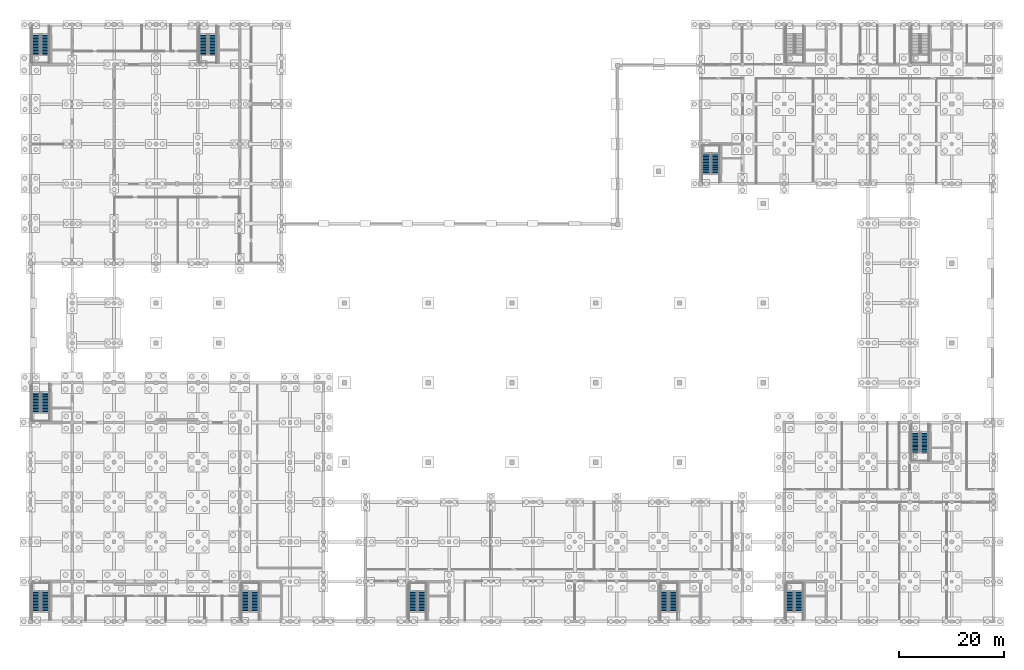
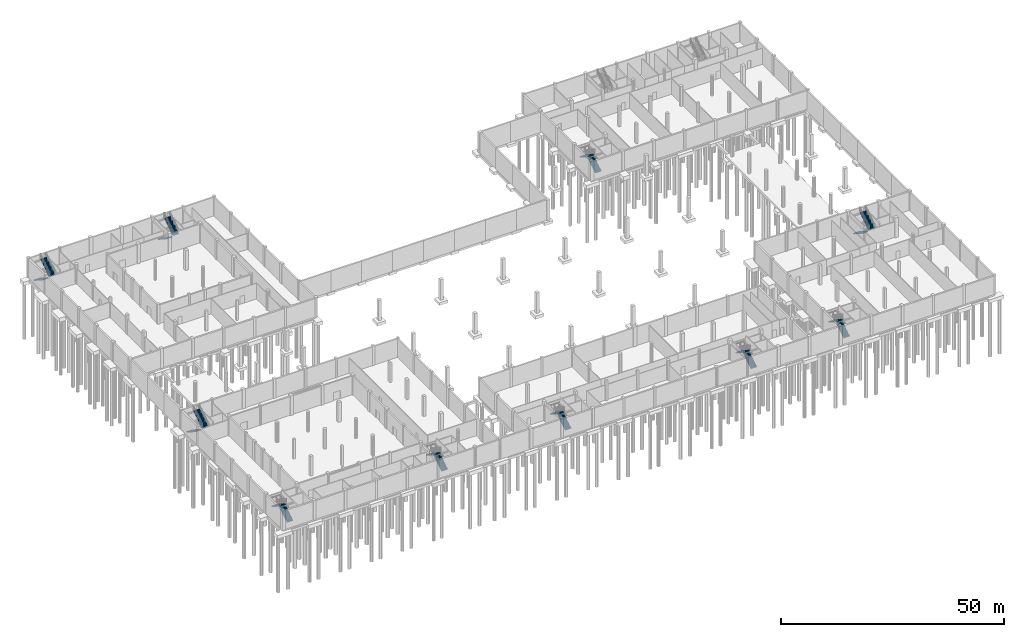
# One storey, part 33 of 44: 20 stair flights, 10 elements without a shape of their own.
"""IFC4 building model written with IfcOpenShell, lengths in metres."""

from ifc_helpers import new_model, si_unit, direction, frame, origin, place, context, subcontext, project, spatial, polyline, outline, extrude, material, type_object, element, aggregate, save


model = new_model("IFC4")

# Units and contexts
model_context = context("Model", 3, precision=1e-05, world=origin(), true_north=direction((0.0, 1.0)))
body_context = subcontext(model_context, "Body", "Model", "MODEL_VIEW")
ifc_project = project(units=[si_unit("LENGTHUNIT", "METRE"), si_unit("AREAUNIT", "SQUARE_METRE"), si_unit("VOLUMEUNIT", "CUBIC_METRE"), si_unit("PLANEANGLEUNIT", "RADIAN"), si_unit("MASSUNIT", "GRAM", prefix="KILO")], contexts=[model_context])

# Site, building, storey
site_placement = place(None, origin())
site = spatial("IfcSite", under=ifc_project, at=site_placement, CompositionType="ELEMENT")
building_placement = place(site_placement, origin())
building = spatial("IfcBuilding", under=site, at=building_placement, Name="Khelvaren Railside Concert Hall", CompositionType="ELEMENT")
storey_placement = place(building_placement, frame((0.0, 0.0, -5.39990234375)))
storey = spatial("IfcBuildingStorey", under=building, at=storey_placement, Name="B1", CompositionType="ELEMENT", Elevation=-5.39990234375)

# Stair, stair flights
ifc_material = material(Name="Concrete C40/50", Category="concrete")
stair_type_1 = type_object("IfcStairType", Name="ST11", PredefinedType="HALF_TURN_STAIR", material=ifc_material)
stair_1_placement = place(storey_placement, origin())
stair_1 = element("IfcStair", 1, at=stair_1_placement, inside=storey, type_object=stair_type_1, Name="B1 Core Exit Stair ST-03", PredefinedType="HALF_TURN_STAIR")
stair_flight_type_1 = type_object("IfcStairFlightType", Name="STF11", PredefinedType="STRAIGHT", material=ifc_material)
stair_flight_1_placement = place(storey_placement, frame((146.840087890625, 1.840087890625, 0.0), z_axis=(0.0, 0.0, 1.0), x_axis=(0.0, 1.0, 0.0)))
stair_flight_1 = element("IfcStairFlight", 2, at=stair_flight_1_placement, type_object=stair_flight_type_1, Name="ST-03 flight 1", NumberOfRisers=15, NumberOfTreads=14, PredefinedType="STRAIGHT", RiserHeight=0.18, TreadLength=0.28, context=body_context, shape_type="SweptSolid", body=[
    extrude(outline(polyline([(0.0, 0.0), (0.0, 0.179931640625), (0.280029296875, 0.179931640625), (0.280029296875, 0.360107421875), (0.56005859375, 0.360107421875), (0.56005859375, 0.5400390625), (0.840087890625, 0.5400390625), (0.840087890625, 0.719970703125), (1.1201171875, 0.719970703125), (1.1201171875, 0.89990234375), (1.39990234375, 0.89990234375), (1.39990234375, 1.080078125), (1.679931640625, 1.080078125), (1.679931640625, 1.260009765625), (1.9599609375, 1.260009765625), (1.9599609375, 1.43994140625), (2.239990234375, 1.43994140625), (2.239990234375, 1.6201171875), (2.52001953125, 1.6201171875), (2.52001953125, 1.800048828125), (2.800048828125, 1.800048828125), (2.800048828125, 1.97998046875), (3.080078125, 1.97998046875), (3.080078125, 2.159912109375), (3.360107421875, 2.159912109375), (3.360107421875, 2.340087890625), (3.639892578125, 2.340087890625), (3.639892578125, 2.52001953125), (3.919921875, 2.52001953125), (3.919921875, 2.699951171875), (3.919921875, 2.341796875), (0.277099609375, 0.0), (0.0, 0.0)])), frame((0.0, 0.780029296875, 0.0), z_axis=(0.0, -1.0, 0.0), x_axis=(1.0, 0.0, 0.0)), (0.0, 0.0, 1.0), 1.56005859375),
])
stair_flight_2_placement = place(storey_placement, frame((145.080078125, 5.760009765625, 2.699951171875), z_axis=(0.0, 0.0, 1.0), x_axis=(0.0, -1.0, 0.0)))
stair_flight_2 = element("IfcStairFlight", 3, at=stair_flight_2_placement, type_object=stair_flight_type_1, Name="ST-03 flight 2", NumberOfRisers=15, NumberOfTreads=14, PredefinedType="STRAIGHT", RiserHeight=0.18, TreadLength=0.28, context=body_context, shape_type="SweptSolid", body=[
    extrude(outline(polyline([(0.0, 0.0), (0.0, 0.179931640625), (0.280029296875, 0.179931640625), (0.280029296875, 0.360107421875), (0.56005859375, 0.360107421875), (0.56005859375, 0.5400390625), (0.840087890625, 0.5400390625), (0.840087890625, 0.719970703125), (1.1201171875, 0.719970703125), (1.1201171875, 0.89990234375), (1.39990234375, 0.89990234375), (1.39990234375, 1.080078125), (1.679931640625, 1.080078125), (1.679931640625, 1.260009765625), (1.9599609375, 1.260009765625), (1.9599609375, 1.43994140625), (2.239990234375, 1.43994140625), (2.239990234375, 1.6201171875), (2.52001953125, 1.6201171875), (2.52001953125, 1.800048828125), (2.800048828125, 1.800048828125), (2.800048828125, 1.97998046875), (3.080078125, 1.97998046875), (3.080078125, 2.159912109375), (3.360107421875, 2.159912109375), (3.360107421875, 2.340087890625), (3.639892578125, 2.340087890625), (3.639892578125, 2.52001953125), (3.919921875, 2.52001953125), (3.919921875, 2.699951171875), (3.919921875, 2.341796875), (0.277099609375, 0.0), (0.0, 0.0)])), frame((0.0, 0.780029296875, 0.0), z_axis=(0.0, -1.0, 0.0), x_axis=(1.0, 0.0, 0.0)), (0.0, 0.0, 1.0), 1.56005859375),
])
aggregate(stair_1, [stair_flight_1, stair_flight_2])

stair_2_placement = place(storey_placement, origin())
stair_2 = element("IfcStair", 4, at=stair_2_placement, inside=storey, type_object=stair_type_1, Name="B1 Core Exit Stair ST-04", PredefinedType="HALF_TURN_STAIR")
stair_flight_3_placement = place(storey_placement, frame((169.080078125, 36.159912109375, 0.0), z_axis=(0.0, 0.0, 1.0), x_axis=(0.0, -1.0, 0.0)))
stair_flight_3 = element("IfcStairFlight", 5, at=stair_flight_3_placement, type_object=stair_flight_type_1, Name="ST-04 flight 1", NumberOfRisers=15, NumberOfTreads=14, PredefinedType="STRAIGHT", RiserHeight=0.18, TreadLength=0.28, context=body_context, shape_type="SweptSolid", body=[
    extrude(outline(polyline([(0.0, 0.0), (0.0, 0.179931640625), (0.280029296875, 0.179931640625), (0.280029296875, 0.360107421875), (0.56005859375, 0.360107421875), (0.56005859375, 0.5400390625), (0.840087890625, 0.5400390625), (0.840087890625, 0.719970703125), (1.1201171875, 0.719970703125), (1.1201171875, 0.89990234375), (1.39990234375, 0.89990234375), (1.39990234375, 1.080078125), (1.679931640625, 1.080078125), (1.679931640625, 1.260009765625), (1.9599609375, 1.260009765625), (1.9599609375, 1.43994140625), (2.239990234375, 1.43994140625), (2.239990234375, 1.6201171875), (2.52001953125, 1.6201171875), (2.52001953125, 1.800048828125), (2.800048828125, 1.800048828125), (2.800048828125, 1.97998046875), (3.080078125, 1.97998046875), (3.080078125, 2.159912109375), (3.360107421875, 2.159912109375), (3.360107421875, 2.340087890625), (3.639892578125, 2.340087890625), (3.639892578125, 2.52001953125), (3.919921875, 2.52001953125), (3.919921875, 2.699951171875), (3.919921875, 2.341796875), (0.277099609375, 0.0), (0.0, 0.0)])), frame((0.0, 0.780029296875, 0.0), z_axis=(0.0, -1.0, 0.0), x_axis=(1.0, 0.0, 0.0)), (0.0, 0.0, 1.0), 1.56005859375),
])
stair_flight_4_placement = place(storey_placement, frame((170.840087890625, 32.239990234375, 2.699951171875), z_axis=(0.0, 0.0, 1.0), x_axis=(0.0, 1.0, 0.0)))
stair_flight_4 = element("IfcStairFlight", 6, at=stair_flight_4_placement, type_object=stair_flight_type_1, Name="ST-04 flight 2", NumberOfRisers=15, NumberOfTreads=14, PredefinedType="STRAIGHT", RiserHeight=0.18, TreadLength=0.28, context=body_context, shape_type="SweptSolid", body=[
    extrude(outline(polyline([(0.0, 0.0), (0.0, 0.179931640625), (0.280029296875, 0.179931640625), (0.280029296875, 0.360107421875), (0.56005859375, 0.360107421875), (0.56005859375, 0.5400390625), (0.840087890625, 0.5400390625), (0.840087890625, 0.719970703125), (1.1201171875, 0.719970703125), (1.1201171875, 0.89990234375), (1.39990234375, 0.89990234375), (1.39990234375, 1.080078125), (1.679931640625, 1.080078125), (1.679931640625, 1.260009765625), (1.9599609375, 1.260009765625), (1.9599609375, 1.43994140625), (2.239990234375, 1.43994140625), (2.239990234375, 1.6201171875), (2.52001953125, 1.6201171875), (2.52001953125, 1.800048828125), (2.800048828125, 1.800048828125), (2.800048828125, 1.97998046875), (3.080078125, 1.97998046875), (3.080078125, 2.159912109375), (3.360107421875, 2.159912109375), (3.360107421875, 2.340087890625), (3.639892578125, 2.340087890625), (3.639892578125, 2.52001953125), (3.919921875, 2.52001953125), (3.919921875, 2.699951171875), (3.919921875, 2.341796875), (0.277099609375, 0.0), (0.0, 0.0)])), frame((0.0, 0.780029296875, 0.0), z_axis=(0.0, -1.0, 0.0), x_axis=(1.0, 0.0, 0.0)), (0.0, 0.0, 1.0), 1.56005859375),
])
aggregate(stair_2, [stair_flight_3, stair_flight_4])

stair_3_placement = place(storey_placement, origin())
stair_3 = element("IfcStair", 7, at=stair_3_placement, inside=storey, type_object=stair_type_1, Name="B1 Core Exit Stair ST-05", PredefinedType="HALF_TURN_STAIR")
stair_flight_5_placement = place(storey_placement, frame((74.840087890625, 1.840087890625, 0.0), z_axis=(0.0, 0.0, 1.0), x_axis=(0.0, 1.0, 0.0)))
stair_flight_5 = element("IfcStairFlight", 8, at=stair_flight_5_placement, type_object=stair_flight_type_1, Name="ST-05 flight 1", NumberOfRisers=15, NumberOfTreads=14, PredefinedType="STRAIGHT", RiserHeight=0.18, TreadLength=0.28, context=body_context, shape_type="SweptSolid", body=[
    extrude(outline(polyline([(0.0, 0.0), (0.0, 0.179931640625), (0.280029296875, 0.179931640625), (0.280029296875, 0.360107421875), (0.56005859375, 0.360107421875), (0.56005859375, 0.5400390625), (0.840087890625, 0.5400390625), (0.840087890625, 0.719970703125), (1.1201171875, 0.719970703125), (1.1201171875, 0.89990234375), (1.39990234375, 0.89990234375), (1.39990234375, 1.080078125), (1.679931640625, 1.080078125), (1.679931640625, 1.260009765625), (1.9599609375, 1.260009765625), (1.9599609375, 1.43994140625), (2.239990234375, 1.43994140625), (2.239990234375, 1.6201171875), (2.52001953125, 1.6201171875), (2.52001953125, 1.800048828125), (2.800048828125, 1.800048828125), (2.800048828125, 1.97998046875), (3.080078125, 1.97998046875), (3.080078125, 2.159912109375), (3.360107421875, 2.159912109375), (3.360107421875, 2.340087890625), (3.639892578125, 2.340087890625), (3.639892578125, 2.52001953125), (3.919921875, 2.52001953125), (3.919921875, 2.699951171875), (3.919921875, 2.341796875), (0.277099609375, 0.0), (0.0, 0.0)])), frame((0.0, 0.780029296875, 0.0), z_axis=(0.0, -1.0, 0.0), x_axis=(1.0, 0.0, 0.0)), (0.0, 0.0, 1.0), 1.56005859375),
])
stair_flight_6_placement = place(storey_placement, frame((73.080078125, 5.760009765625, 2.699951171875), z_axis=(0.0, 0.0, 1.0), x_axis=(0.0, -1.0, 0.0)))
stair_flight_6 = element("IfcStairFlight", 9, at=stair_flight_6_placement, type_object=stair_flight_type_1, Name="ST-05 flight 2", NumberOfRisers=15, NumberOfTreads=14, PredefinedType="STRAIGHT", RiserHeight=0.18, TreadLength=0.28, context=body_context, shape_type="SweptSolid", body=[
    extrude(outline(polyline([(0.0, 0.0), (0.0, 0.179931640625), (0.280029296875, 0.179931640625), (0.280029296875, 0.360107421875), (0.56005859375, 0.360107421875), (0.56005859375, 0.5400390625), (0.840087890625, 0.5400390625), (0.840087890625, 0.719970703125), (1.1201171875, 0.719970703125), (1.1201171875, 0.89990234375), (1.39990234375, 0.89990234375), (1.39990234375, 1.080078125), (1.679931640625, 1.080078125), (1.679931640625, 1.260009765625), (1.9599609375, 1.260009765625), (1.9599609375, 1.43994140625), (2.239990234375, 1.43994140625), (2.239990234375, 1.6201171875), (2.52001953125, 1.6201171875), (2.52001953125, 1.800048828125), (2.800048828125, 1.800048828125), (2.800048828125, 1.97998046875), (3.080078125, 1.97998046875), (3.080078125, 2.159912109375), (3.360107421875, 2.159912109375), (3.360107421875, 2.340087890625), (3.639892578125, 2.340087890625), (3.639892578125, 2.52001953125), (3.919921875, 2.52001953125), (3.919921875, 2.699951171875), (3.919921875, 2.341796875), (0.277099609375, 0.0), (0.0, 0.0)])), frame((0.0, 0.780029296875, 0.0), z_axis=(0.0, -1.0, 0.0), x_axis=(1.0, 0.0, 0.0)), (0.0, 0.0, 1.0), 1.56005859375),
])
aggregate(stair_3, [stair_flight_5, stair_flight_6])

stair_4_placement = place(storey_placement, origin())
stair_4 = element("IfcStair", 10, at=stair_4_placement, inside=storey, type_object=stair_type_1, Name="B1 Core Exit Stair ST-06", PredefinedType="HALF_TURN_STAIR")
stair_flight_7_placement = place(storey_placement, frame((122.840087890625, 1.840087890625, 0.0), z_axis=(0.0, 0.0, 1.0), x_axis=(0.0, 1.0, 0.0)))
stair_flight_7 = element("IfcStairFlight", 11, at=stair_flight_7_placement, type_object=stair_flight_type_1, Name="ST-06 flight 1", NumberOfRisers=15, NumberOfTreads=14, PredefinedType="STRAIGHT", RiserHeight=0.18, TreadLength=0.28, context=body_context, shape_type="SweptSolid", body=[
    extrude(outline(polyline([(0.0, 0.0), (0.0, 0.179931640625), (0.280029296875, 0.179931640625), (0.280029296875, 0.360107421875), (0.56005859375, 0.360107421875), (0.56005859375, 0.5400390625), (0.840087890625, 0.5400390625), (0.840087890625, 0.719970703125), (1.1201171875, 0.719970703125), (1.1201171875, 0.89990234375), (1.39990234375, 0.89990234375), (1.39990234375, 1.080078125), (1.679931640625, 1.080078125), (1.679931640625, 1.260009765625), (1.9599609375, 1.260009765625), (1.9599609375, 1.43994140625), (2.239990234375, 1.43994140625), (2.239990234375, 1.6201171875), (2.52001953125, 1.6201171875), (2.52001953125, 1.800048828125), (2.800048828125, 1.800048828125), (2.800048828125, 1.97998046875), (3.080078125, 1.97998046875), (3.080078125, 2.159912109375), (3.360107421875, 2.159912109375), (3.360107421875, 2.340087890625), (3.639892578125, 2.340087890625), (3.639892578125, 2.52001953125), (3.919921875, 2.52001953125), (3.919921875, 2.699951171875), (3.919921875, 2.341796875), (0.277099609375, 0.0), (0.0, 0.0)])), frame((0.0, 0.780029296875, 0.0), z_axis=(0.0, -1.0, 0.0), x_axis=(1.0, 0.0, 0.0)), (0.0, 0.0, 1.0), 1.56005859375),
])
stair_flight_8_placement = place(storey_placement, frame((121.080078125, 5.760009765625, 2.699951171875), z_axis=(0.0, 0.0, 1.0), x_axis=(0.0, -1.0, 0.0)))
stair_flight_8 = element("IfcStairFlight", 12, at=stair_flight_8_placement, type_object=stair_flight_type_1, Name="ST-06 flight 2", NumberOfRisers=15, NumberOfTreads=14, PredefinedType="STRAIGHT", RiserHeight=0.18, TreadLength=0.28, context=body_context, shape_type="SweptSolid", body=[
    extrude(outline(polyline([(0.0, 0.0), (0.0, 0.179931640625), (0.280029296875, 0.179931640625), (0.280029296875, 0.360107421875), (0.56005859375, 0.360107421875), (0.56005859375, 0.5400390625), (0.840087890625, 0.5400390625), (0.840087890625, 0.719970703125), (1.1201171875, 0.719970703125), (1.1201171875, 0.89990234375), (1.39990234375, 0.89990234375), (1.39990234375, 1.080078125), (1.679931640625, 1.080078125), (1.679931640625, 1.260009765625), (1.9599609375, 1.260009765625), (1.9599609375, 1.43994140625), (2.239990234375, 1.43994140625), (2.239990234375, 1.6201171875), (2.52001953125, 1.6201171875), (2.52001953125, 1.800048828125), (2.800048828125, 1.800048828125), (2.800048828125, 1.97998046875), (3.080078125, 1.97998046875), (3.080078125, 2.159912109375), (3.360107421875, 2.159912109375), (3.360107421875, 2.340087890625), (3.639892578125, 2.340087890625), (3.639892578125, 2.52001953125), (3.919921875, 2.52001953125), (3.919921875, 2.699951171875), (3.919921875, 2.341796875), (0.277099609375, 0.0), (0.0, 0.0)])), frame((0.0, 0.780029296875, 0.0), z_axis=(0.0, -1.0, 0.0), x_axis=(1.0, 0.0, 0.0)), (0.0, 0.0, 1.0), 1.56005859375),
])
aggregate(stair_4, [stair_flight_7, stair_flight_8])

stair_5_placement = place(storey_placement, origin())
stair_5 = element("IfcStair", 13, at=stair_5_placement, inside=storey, type_object=stair_type_1, Name="B1 Core Exit Stair ST-07", PredefinedType="HALF_TURN_STAIR")
stair_flight_9_placement = place(storey_placement, frame((1.080078125, 112.159912109375, 0.0), z_axis=(0.0, 0.0, 1.0), x_axis=(0.0, -1.0, 0.0)))
stair_flight_9 = element("IfcStairFlight", 14, at=stair_flight_9_placement, type_object=stair_flight_type_1, Name="ST-07 flight 1", NumberOfRisers=15, NumberOfTreads=14, PredefinedType="STRAIGHT", RiserHeight=0.18, TreadLength=0.28, context=body_context, shape_type="SweptSolid", body=[
    extrude(outline(polyline([(0.0, 0.0), (0.0, 0.179931640625), (0.280029296875, 0.179931640625), (0.280029296875, 0.360107421875), (0.56005859375, 0.360107421875), (0.56005859375, 0.5400390625), (0.840087890625, 0.5400390625), (0.840087890625, 0.719970703125), (1.1201171875, 0.719970703125), (1.1201171875, 0.89990234375), (1.39990234375, 0.89990234375), (1.39990234375, 1.080078125), (1.679931640625, 1.080078125), (1.679931640625, 1.260009765625), (1.9599609375, 1.260009765625), (1.9599609375, 1.43994140625), (2.239990234375, 1.43994140625), (2.239990234375, 1.6201171875), (2.52001953125, 1.6201171875), (2.52001953125, 1.800048828125), (2.800048828125, 1.800048828125), (2.800048828125, 1.97998046875), (3.080078125, 1.97998046875), (3.080078125, 2.159912109375), (3.360107421875, 2.159912109375), (3.360107421875, 2.340087890625), (3.639892578125, 2.340087890625), (3.639892578125, 2.52001953125), (3.919921875, 2.52001953125), (3.919921875, 2.699951171875), (3.919921875, 2.341796875), (0.277099609375, 0.0), (0.0, 0.0)])), frame((0.0, 0.780029296875, 0.0), z_axis=(0.0, -1.0, 0.0), x_axis=(1.0, 0.0, 0.0)), (0.0, 0.0, 1.0), 1.56005859375),
])
stair_flight_10_placement = place(storey_placement, frame((2.840087890625, 108.239990234375, 2.699951171875), z_axis=(0.0, 0.0, 1.0), x_axis=(0.0, 1.0, 0.0)))
stair_flight_10 = element("IfcStairFlight", 15, at=stair_flight_10_placement, type_object=stair_flight_type_1, Name="ST-07 flight 2", NumberOfRisers=15, NumberOfTreads=14, PredefinedType="STRAIGHT", RiserHeight=0.18, TreadLength=0.28, context=body_context, shape_type="SweptSolid", body=[
    extrude(outline(polyline([(0.0, 0.0), (0.0, 0.179931640625), (0.280029296875, 0.179931640625), (0.280029296875, 0.360107421875), (0.56005859375, 0.360107421875), (0.56005859375, 0.5400390625), (0.840087890625, 0.5400390625), (0.840087890625, 0.719970703125), (1.1201171875, 0.719970703125), (1.1201171875, 0.89990234375), (1.39990234375, 0.89990234375), (1.39990234375, 1.080078125), (1.679931640625, 1.080078125), (1.679931640625, 1.260009765625), (1.9599609375, 1.260009765625), (1.9599609375, 1.43994140625), (2.239990234375, 1.43994140625), (2.239990234375, 1.6201171875), (2.52001953125, 1.6201171875), (2.52001953125, 1.800048828125), (2.800048828125, 1.800048828125), (2.800048828125, 1.97998046875), (3.080078125, 1.97998046875), (3.080078125, 2.159912109375), (3.360107421875, 2.159912109375), (3.360107421875, 2.340087890625), (3.639892578125, 2.340087890625), (3.639892578125, 2.52001953125), (3.919921875, 2.52001953125), (3.919921875, 2.699951171875), (3.919921875, 2.341796875), (0.277099609375, 0.0), (0.0, 0.0)])), frame((0.0, 0.780029296875, 0.0), z_axis=(0.0, -1.0, 0.0), x_axis=(1.0, 0.0, 0.0)), (0.0, 0.0, 1.0), 1.56005859375),
])
aggregate(stair_5, [stair_flight_9, stair_flight_10])

stair_6_placement = place(storey_placement, origin())
stair_6 = element("IfcStair", 16, at=stair_6_placement, inside=storey, type_object=stair_type_1, Name="B1 Core Exit Stair ST-08", PredefinedType="HALF_TURN_STAIR")
stair_flight_11_placement = place(storey_placement, frame((33.080078125, 112.159912109375, 0.0), z_axis=(0.0, 0.0, 1.0), x_axis=(0.0, -1.0, 0.0)))
stair_flight_11 = element("IfcStairFlight", 17, at=stair_flight_11_placement, type_object=stair_flight_type_1, Name="ST-08 flight 1", NumberOfRisers=15, NumberOfTreads=14, PredefinedType="STRAIGHT", RiserHeight=0.18, TreadLength=0.28, context=body_context, shape_type="SweptSolid", body=[
    extrude(outline(polyline([(0.0, 0.0), (0.0, 0.179931640625), (0.280029296875, 0.179931640625), (0.280029296875, 0.360107421875), (0.56005859375, 0.360107421875), (0.56005859375, 0.5400390625), (0.840087890625, 0.5400390625), (0.840087890625, 0.719970703125), (1.1201171875, 0.719970703125), (1.1201171875, 0.89990234375), (1.39990234375, 0.89990234375), (1.39990234375, 1.080078125), (1.679931640625, 1.080078125), (1.679931640625, 1.260009765625), (1.9599609375, 1.260009765625), (1.9599609375, 1.43994140625), (2.239990234375, 1.43994140625), (2.239990234375, 1.6201171875), (2.52001953125, 1.6201171875), (2.52001953125, 1.800048828125), (2.800048828125, 1.800048828125), (2.800048828125, 1.97998046875), (3.080078125, 1.97998046875), (3.080078125, 2.159912109375), (3.360107421875, 2.159912109375), (3.360107421875, 2.340087890625), (3.639892578125, 2.340087890625), (3.639892578125, 2.52001953125), (3.919921875, 2.52001953125), (3.919921875, 2.699951171875), (3.919921875, 2.341796875), (0.277099609375, 0.0), (0.0, 0.0)])), frame((0.0, 0.780029296875, 0.0), z_axis=(0.0, -1.0, 0.0), x_axis=(1.0, 0.0, 0.0)), (0.0, 0.0, 1.0), 1.56005859375),
])
stair_flight_12_placement = place(storey_placement, frame((34.840087890625, 108.239990234375, 2.699951171875), z_axis=(0.0, 0.0, 1.0), x_axis=(0.0, 1.0, 0.0)))
stair_flight_12 = element("IfcStairFlight", 18, at=stair_flight_12_placement, type_object=stair_flight_type_1, Name="ST-08 flight 2", NumberOfRisers=15, NumberOfTreads=14, PredefinedType="STRAIGHT", RiserHeight=0.18, TreadLength=0.28, context=body_context, shape_type="SweptSolid", body=[
    extrude(outline(polyline([(0.0, 0.0), (0.0, 0.179931640625), (0.280029296875, 0.179931640625), (0.280029296875, 0.360107421875), (0.56005859375, 0.360107421875), (0.56005859375, 0.5400390625), (0.840087890625, 0.5400390625), (0.840087890625, 0.719970703125), (1.1201171875, 0.719970703125), (1.1201171875, 0.89990234375), (1.39990234375, 0.89990234375), (1.39990234375, 1.080078125), (1.679931640625, 1.080078125), (1.679931640625, 1.260009765625), (1.9599609375, 1.260009765625), (1.9599609375, 1.43994140625), (2.239990234375, 1.43994140625), (2.239990234375, 1.6201171875), (2.52001953125, 1.6201171875), (2.52001953125, 1.800048828125), (2.800048828125, 1.800048828125), (2.800048828125, 1.97998046875), (3.080078125, 1.97998046875), (3.080078125, 2.159912109375), (3.360107421875, 2.159912109375), (3.360107421875, 2.340087890625), (3.639892578125, 2.340087890625), (3.639892578125, 2.52001953125), (3.919921875, 2.52001953125), (3.919921875, 2.699951171875), (3.919921875, 2.341796875), (0.277099609375, 0.0), (0.0, 0.0)])), frame((0.0, 0.780029296875, 0.0), z_axis=(0.0, -1.0, 0.0), x_axis=(1.0, 0.0, 0.0)), (0.0, 0.0, 1.0), 1.56005859375),
])
aggregate(stair_6, [stair_flight_11, stair_flight_12])

stair_type_2 = type_object("IfcStairType", Name="ST31", PredefinedType="HALF_TURN_STAIR", material=ifc_material)
stair_7_placement = place(storey_placement, origin())
stair_7 = element("IfcStair", 19, at=stair_7_placement, inside=storey, type_object=stair_type_2, Name="B1 Core Exit Stair ST-01", PredefinedType="HALF_TURN_STAIR")
stair_flight_type_2 = type_object("IfcStairFlightType", Name="STF37", PredefinedType="STRAIGHT", material=ifc_material)
stair_flight_13_placement = place(storey_placement, frame((2.89990234375, 1.840087890625, 0.0), z_axis=(0.0, 0.0, 1.0), x_axis=(0.0, 1.0, 0.0)))
stair_flight_13 = element("IfcStairFlight", 20, at=stair_flight_13_placement, type_object=stair_flight_type_2, Name="ST-01 flight 1", NumberOfRisers=15, NumberOfTreads=14, PredefinedType="STRAIGHT", RiserHeight=0.18, TreadLength=0.28, context=body_context, shape_type="SweptSolid", body=[
    extrude(outline(polyline([(0.0, 0.0), (0.0, 0.179931640625), (0.280029296875, 0.179931640625), (0.280029296875, 0.360107421875), (0.56005859375, 0.360107421875), (0.56005859375, 0.5400390625), (0.840087890625, 0.5400390625), (0.840087890625, 0.719970703125), (1.1201171875, 0.719970703125), (1.1201171875, 0.89990234375), (1.39990234375, 0.89990234375), (1.39990234375, 1.080078125), (1.679931640625, 1.080078125), (1.679931640625, 1.260009765625), (1.9599609375, 1.260009765625), (1.9599609375, 1.43994140625), (2.239990234375, 1.43994140625), (2.239990234375, 1.6201171875), (2.52001953125, 1.6201171875), (2.52001953125, 1.800048828125), (2.800048828125, 1.800048828125), (2.800048828125, 1.97998046875), (3.080078125, 1.97998046875), (3.080078125, 2.159912109375), (3.360107421875, 2.159912109375), (3.360107421875, 2.340087890625), (3.639892578125, 2.340087890625), (3.639892578125, 2.52001953125), (3.919921875, 2.52001953125), (3.919921875, 2.699951171875), (3.919921875, 2.341796875), (0.277099609375, 0.0), (0.0, 0.0)])), frame((0.0, 0.800048828125, 0.0), z_axis=(0.0, -1.0, 0.0), x_axis=(1.0, 0.0, 0.0)), (0.0, 0.0, 1.0), 1.60009765625),
])
stair_flight_14_placement = place(storey_placement, frame((1.10009765625, 5.760009765625, 2.699951171875), z_axis=(0.0, 0.0, 1.0), x_axis=(0.0, -1.0, 0.0)))
stair_flight_14 = element("IfcStairFlight", 21, at=stair_flight_14_placement, type_object=stair_flight_type_2, Name="ST-01 flight 2", NumberOfRisers=15, NumberOfTreads=14, PredefinedType="STRAIGHT", RiserHeight=0.18, TreadLength=0.28, context=body_context, shape_type="SweptSolid", body=[
    extrude(outline(polyline([(0.0, 0.0), (0.0, 0.179931640625), (0.280029296875, 0.179931640625), (0.280029296875, 0.360107421875), (0.56005859375, 0.360107421875), (0.56005859375, 0.5400390625), (0.840087890625, 0.5400390625), (0.840087890625, 0.719970703125), (1.1201171875, 0.719970703125), (1.1201171875, 0.89990234375), (1.39990234375, 0.89990234375), (1.39990234375, 1.080078125), (1.679931640625, 1.080078125), (1.679931640625, 1.260009765625), (1.9599609375, 1.260009765625), (1.9599609375, 1.43994140625), (2.239990234375, 1.43994140625), (2.239990234375, 1.6201171875), (2.52001953125, 1.6201171875), (2.52001953125, 1.800048828125), (2.800048828125, 1.800048828125), (2.800048828125, 1.97998046875), (3.080078125, 1.97998046875), (3.080078125, 2.159912109375), (3.360107421875, 2.159912109375), (3.360107421875, 2.340087890625), (3.639892578125, 2.340087890625), (3.639892578125, 2.52001953125), (3.919921875, 2.52001953125), (3.919921875, 2.699951171875), (3.919921875, 2.341796875), (0.277099609375, 0.0), (0.0, 0.0)])), frame((0.0, 0.800048828125, 0.0), z_axis=(0.0, -1.0, 0.0), x_axis=(1.0, 0.0, 0.0)), (0.0, 0.0, 1.0), 1.60009765625),
])
aggregate(stair_7, [stair_flight_13, stair_flight_14])

stair_8_placement = place(storey_placement, origin())
stair_8 = element("IfcStair", 22, at=stair_8_placement, inside=storey, type_object=stair_type_2, Name="B1 Core Exit Stair ST-02", PredefinedType="HALF_TURN_STAIR")
stair_flight_15_placement = place(storey_placement, frame((42.89990234375, 1.840087890625, 0.0), z_axis=(0.0, 0.0, 1.0), x_axis=(0.0, 1.0, 0.0)))
stair_flight_15 = element("IfcStairFlight", 23, at=stair_flight_15_placement, type_object=stair_flight_type_2, Name="ST-02 flight 1", NumberOfRisers=15, NumberOfTreads=14, PredefinedType="STRAIGHT", RiserHeight=0.18, TreadLength=0.28, context=body_context, shape_type="SweptSolid", body=[
    extrude(outline(polyline([(0.0, 0.0), (0.0, 0.179931640625), (0.280029296875, 0.179931640625), (0.280029296875, 0.360107421875), (0.56005859375, 0.360107421875), (0.56005859375, 0.5400390625), (0.840087890625, 0.5400390625), (0.840087890625, 0.719970703125), (1.1201171875, 0.719970703125), (1.1201171875, 0.89990234375), (1.39990234375, 0.89990234375), (1.39990234375, 1.080078125), (1.679931640625, 1.080078125), (1.679931640625, 1.260009765625), (1.9599609375, 1.260009765625), (1.9599609375, 1.43994140625), (2.239990234375, 1.43994140625), (2.239990234375, 1.6201171875), (2.52001953125, 1.6201171875), (2.52001953125, 1.800048828125), (2.800048828125, 1.800048828125), (2.800048828125, 1.97998046875), (3.080078125, 1.97998046875), (3.080078125, 2.159912109375), (3.360107421875, 2.159912109375), (3.360107421875, 2.340087890625), (3.639892578125, 2.340087890625), (3.639892578125, 2.52001953125), (3.919921875, 2.52001953125), (3.919921875, 2.699951171875), (3.919921875, 2.341796875), (0.277099609375, 0.0), (0.0, 0.0)])), frame((0.0, 0.800048828125, 0.0), z_axis=(0.0, -1.0, 0.0), x_axis=(1.0, 0.0, 0.0)), (0.0, 0.0, 1.0), 1.60009765625),
])
stair_flight_16_placement = place(storey_placement, frame((41.10009765625, 5.760009765625, 2.699951171875), z_axis=(0.0, 0.0, 1.0), x_axis=(0.0, -1.0, 0.0)))
stair_flight_16 = element("IfcStairFlight", 24, at=stair_flight_16_placement, type_object=stair_flight_type_2, Name="ST-02 flight 2", NumberOfRisers=15, NumberOfTreads=14, PredefinedType="STRAIGHT", RiserHeight=0.18, TreadLength=0.28, context=body_context, shape_type="SweptSolid", body=[
    extrude(outline(polyline([(0.0, 0.0), (0.0, 0.179931640625), (0.280029296875, 0.179931640625), (0.280029296875, 0.360107421875), (0.56005859375, 0.360107421875), (0.56005859375, 0.5400390625), (0.840087890625, 0.5400390625), (0.840087890625, 0.719970703125), (1.1201171875, 0.719970703125), (1.1201171875, 0.89990234375), (1.39990234375, 0.89990234375), (1.39990234375, 1.080078125), (1.679931640625, 1.080078125), (1.679931640625, 1.260009765625), (1.9599609375, 1.260009765625), (1.9599609375, 1.43994140625), (2.239990234375, 1.43994140625), (2.239990234375, 1.6201171875), (2.52001953125, 1.6201171875), (2.52001953125, 1.800048828125), (2.800048828125, 1.800048828125), (2.800048828125, 1.97998046875), (3.080078125, 1.97998046875), (3.080078125, 2.159912109375), (3.360107421875, 2.159912109375), (3.360107421875, 2.340087890625), (3.639892578125, 2.340087890625), (3.639892578125, 2.52001953125), (3.919921875, 2.52001953125), (3.919921875, 2.699951171875), (3.919921875, 2.341796875), (0.277099609375, 0.0), (0.0, 0.0)])), frame((0.0, 0.800048828125, 0.0), z_axis=(0.0, -1.0, 0.0), x_axis=(1.0, 0.0, 0.0)), (0.0, 0.0, 1.0), 1.60009765625),
])
aggregate(stair_8, [stair_flight_15, stair_flight_16])

stair_9_placement = place(storey_placement, origin())
stair_9 = element("IfcStair", 25, at=stair_9_placement, inside=storey, type_object=stair_type_2, Name="B1 Core Exit Stair ST-11", PredefinedType="HALF_TURN_STAIR")
stair_flight_17_placement = place(storey_placement, frame((1.10009765625, 43.760009765625, 0.0), z_axis=(0.0, 0.0, 1.0), x_axis=(0.0, -1.0, 0.0)))
stair_flight_17 = element("IfcStairFlight", 26, at=stair_flight_17_placement, type_object=stair_flight_type_2, Name="ST-11 flight 1", NumberOfRisers=15, NumberOfTreads=14, PredefinedType="STRAIGHT", RiserHeight=0.18, TreadLength=0.28, context=body_context, shape_type="SweptSolid", body=[
    extrude(outline(polyline([(0.0, 0.0), (0.0, 0.179931640625), (0.280029296875, 0.179931640625), (0.280029296875, 0.360107421875), (0.56005859375, 0.360107421875), (0.56005859375, 0.5400390625), (0.840087890625, 0.5400390625), (0.840087890625, 0.719970703125), (1.1201171875, 0.719970703125), (1.1201171875, 0.89990234375), (1.39990234375, 0.89990234375), (1.39990234375, 1.080078125), (1.679931640625, 1.080078125), (1.679931640625, 1.260009765625), (1.9599609375, 1.260009765625), (1.9599609375, 1.43994140625), (2.239990234375, 1.43994140625), (2.239990234375, 1.6201171875), (2.52001953125, 1.6201171875), (2.52001953125, 1.800048828125), (2.800048828125, 1.800048828125), (2.800048828125, 1.97998046875), (3.080078125, 1.97998046875), (3.080078125, 2.159912109375), (3.360107421875, 2.159912109375), (3.360107421875, 2.340087890625), (3.639892578125, 2.340087890625), (3.639892578125, 2.52001953125), (3.919921875, 2.52001953125), (3.919921875, 2.699951171875), (3.919921875, 2.341796875), (0.277099609375, 0.0), (0.0, 0.0)])), frame((0.0, 0.800048828125, 0.0), z_axis=(0.0, -1.0, 0.0), x_axis=(1.0, 0.0, 0.0)), (0.0, 0.0, 1.0), 1.60009765625),
])
stair_flight_18_placement = place(storey_placement, frame((2.89990234375, 39.840087890625, 2.699951171875), z_axis=(0.0, 0.0, 1.0), x_axis=(0.0, 1.0, 0.0)))
stair_flight_18 = element("IfcStairFlight", 27, at=stair_flight_18_placement, type_object=stair_flight_type_2, Name="ST-11 flight 2", NumberOfRisers=15, NumberOfTreads=14, PredefinedType="STRAIGHT", RiserHeight=0.18, TreadLength=0.28, context=body_context, shape_type="SweptSolid", body=[
    extrude(outline(polyline([(0.0, 0.0), (0.0, 0.179931640625), (0.280029296875, 0.179931640625), (0.280029296875, 0.360107421875), (0.56005859375, 0.360107421875), (0.56005859375, 0.5400390625), (0.840087890625, 0.5400390625), (0.840087890625, 0.719970703125), (1.1201171875, 0.719970703125), (1.1201171875, 0.89990234375), (1.39990234375, 0.89990234375), (1.39990234375, 1.080078125), (1.679931640625, 1.080078125), (1.679931640625, 1.260009765625), (1.9599609375, 1.260009765625), (1.9599609375, 1.43994140625), (2.239990234375, 1.43994140625), (2.239990234375, 1.6201171875), (2.52001953125, 1.6201171875), (2.52001953125, 1.800048828125), (2.800048828125, 1.800048828125), (2.800048828125, 1.97998046875), (3.080078125, 1.97998046875), (3.080078125, 2.159912109375), (3.360107421875, 2.159912109375), (3.360107421875, 2.340087890625), (3.639892578125, 2.340087890625), (3.639892578125, 2.52001953125), (3.919921875, 2.52001953125), (3.919921875, 2.699951171875), (3.919921875, 2.341796875), (0.277099609375, 0.0), (0.0, 0.0)])), frame((0.0, 0.800048828125, 0.0), z_axis=(0.0, -1.0, 0.0), x_axis=(1.0, 0.0, 0.0)), (0.0, 0.0, 1.0), 1.60009765625),
])
aggregate(stair_9, [stair_flight_17, stair_flight_18])

stair_10_placement = place(storey_placement, origin())
stair_10 = element("IfcStair", 28, at=stair_10_placement, inside=storey, type_object=stair_type_2, Name="B1 Core Exit Stair ST-12", PredefinedType="HALF_TURN_STAIR")
stair_flight_19_placement = place(storey_placement, frame((130.89990234375, 85.43994140625, 0.0), z_axis=(0.0, 0.0, 1.0), x_axis=(0.0, 1.0, 0.0)))
stair_flight_19 = element("IfcStairFlight", 29, at=stair_flight_19_placement, type_object=stair_flight_type_2, Name="ST-12 flight 1", NumberOfRisers=15, NumberOfTreads=14, PredefinedType="STRAIGHT", RiserHeight=0.18, TreadLength=0.28, context=body_context, shape_type="SweptSolid", body=[
    extrude(outline(polyline([(0.0, 0.0), (0.0, 0.179931640625), (0.280029296875, 0.179931640625), (0.280029296875, 0.360107421875), (0.56005859375, 0.360107421875), (0.56005859375, 0.5400390625), (0.840087890625, 0.5400390625), (0.840087890625, 0.719970703125), (1.1201171875, 0.719970703125), (1.1201171875, 0.89990234375), (1.39990234375, 0.89990234375), (1.39990234375, 1.080078125), (1.679931640625, 1.080078125), (1.679931640625, 1.260009765625), (1.9599609375, 1.260009765625), (1.9599609375, 1.43994140625), (2.239990234375, 1.43994140625), (2.239990234375, 1.6201171875), (2.52001953125, 1.6201171875), (2.52001953125, 1.800048828125), (2.800048828125, 1.800048828125), (2.800048828125, 1.97998046875), (3.080078125, 1.97998046875), (3.080078125, 2.159912109375), (3.360107421875, 2.159912109375), (3.360107421875, 2.340087890625), (3.639892578125, 2.340087890625), (3.639892578125, 2.52001953125), (3.919921875, 2.52001953125), (3.919921875, 2.699951171875), (3.919921875, 2.341796875), (0.277099609375, 0.0), (0.0, 0.0)])), frame((0.0, 0.800048828125, 0.0), z_axis=(0.0, -1.0, 0.0), x_axis=(1.0, 0.0, 0.0)), (0.0, 0.0, 1.0), 1.60009765625),
])
stair_flight_20_placement = place(storey_placement, frame((129.10009765625, 89.360107421875, 2.699951171875), z_axis=(0.0, 0.0, 1.0), x_axis=(0.0, -1.0, 0.0)))
stair_flight_20 = element("IfcStairFlight", 30, at=stair_flight_20_placement, type_object=stair_flight_type_2, Name="ST-12 flight 2", NumberOfRisers=15, NumberOfTreads=14, PredefinedType="STRAIGHT", RiserHeight=0.18, TreadLength=0.28, context=body_context, shape_type="SweptSolid", body=[
    extrude(outline(polyline([(0.0, 0.0), (0.0, 0.179931640625), (0.280029296875, 0.179931640625), (0.280029296875, 0.360107421875), (0.56005859375, 0.360107421875), (0.56005859375, 0.5400390625), (0.840087890625, 0.5400390625), (0.840087890625, 0.719970703125), (1.1201171875, 0.719970703125), (1.1201171875, 0.89990234375), (1.39990234375, 0.89990234375), (1.39990234375, 1.080078125), (1.679931640625, 1.080078125), (1.679931640625, 1.260009765625), (1.9599609375, 1.260009765625), (1.9599609375, 1.43994140625), (2.239990234375, 1.43994140625), (2.239990234375, 1.6201171875), (2.52001953125, 1.6201171875), (2.52001953125, 1.800048828125), (2.800048828125, 1.800048828125), (2.800048828125, 1.97998046875), (3.080078125, 1.97998046875), (3.080078125, 2.159912109375), (3.360107421875, 2.159912109375), (3.360107421875, 2.340087890625), (3.639892578125, 2.340087890625), (3.639892578125, 2.52001953125), (3.919921875, 2.52001953125), (3.919921875, 2.699951171875), (3.919921875, 2.341796875), (0.277099609375, 0.0), (0.0, 0.0)])), frame((0.0, 0.800048828125, 0.0), z_axis=(0.0, -1.0, 0.0), x_axis=(1.0, 0.0, 0.0)), (0.0, 0.0, 1.0), 1.60009765625),
])
aggregate(stair_10, [stair_flight_19, stair_flight_20])

save(model, "model.ifc")
